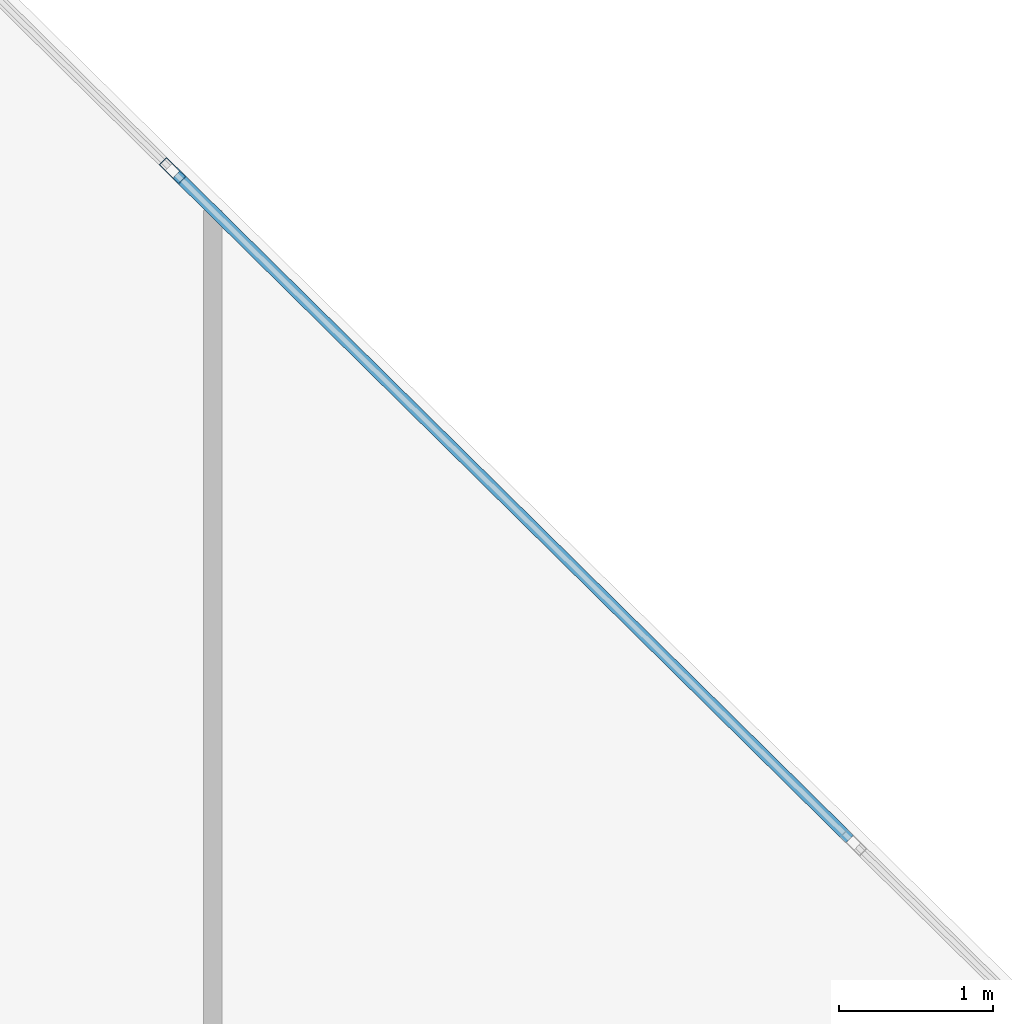
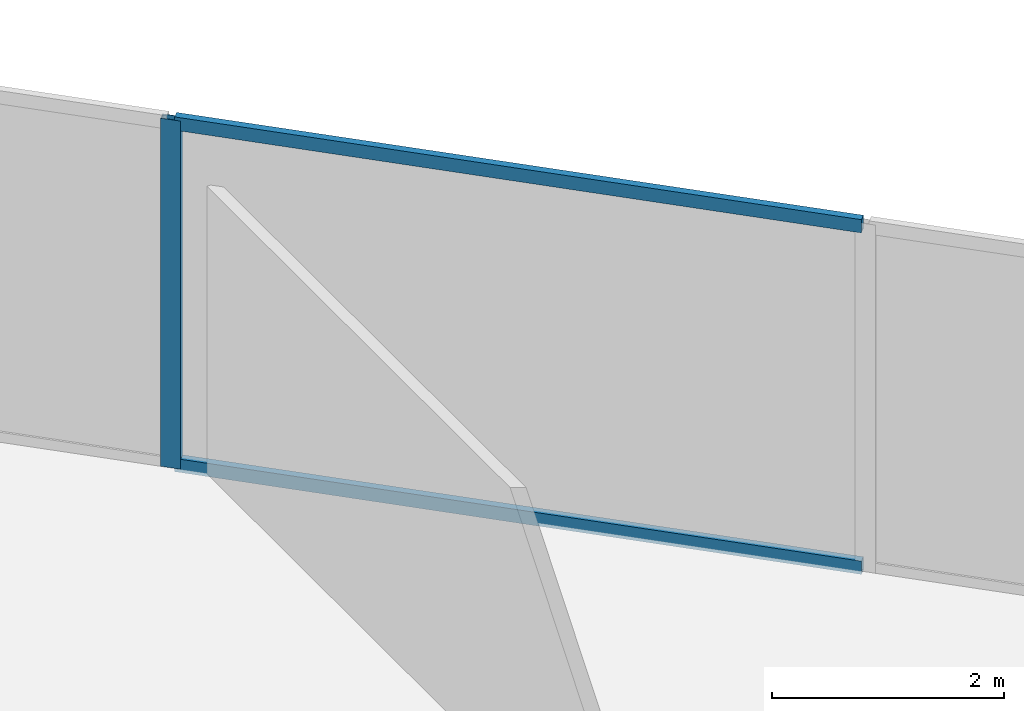
# One storey, part 19 of 24: 3 members, 1 element without a shape of its own.
"""IFC4 building model written with IfcOpenShell, lengths in metres."""

from ifc_helpers import new_model, si_unit, direction, frame, origin, origin_2d, place, context, subcontext, project, spatial, hollow_rectangle, extrude, source, transform, mapped, material, material_profile, profile_set, type_object, type_shapes, element, aggregate, save


model = new_model("IFC4")

# Units and contexts
model_context = context("Model", 3, precision=1e-05, world=origin(), true_north=direction((0.0, 1.0)))
body_context = subcontext(model_context, "Body", "Model", "MODEL_VIEW")
ifc_project = project(units=[si_unit("LENGTHUNIT", "METRE"), si_unit("AREAUNIT", "SQUARE_METRE"), si_unit("VOLUMEUNIT", "CUBIC_METRE"), si_unit("PLANEANGLEUNIT", "RADIAN"), si_unit("MASSUNIT", "GRAM", prefix="KILO")], contexts=[model_context])

# Site, building, storey
site_placement = place(None, origin())
site = spatial("IfcSite", under=ifc_project, at=site_placement, CompositionType="ELEMENT")
building_placement = place(site_placement, origin())
building = spatial("IfcBuilding", under=site, at=building_placement, Name="Krantzveldt Concourse Tower", CompositionType="ELEMENT")
storey_placement = place(building_placement, frame((0.0, 0.0, 231.0)))
storey = spatial("IfcBuildingStorey", under=building, at=storey_placement, Name="L56", CompositionType="ELEMENT", Elevation=231.0)

# Curtain wall, members
ifc_material = material(Name="Anodised aluminium 6063-T6", Category="aluminium")
curtain_wall_type = type_object("IfcCurtainWallType", Name="CW3", PredefinedType="USERDEFINED", material=ifc_material)
curtain_wall_placement = place(storey_placement, origin())
curtain_wall = element("IfcCurtainWall", 1, at=curtain_wall_placement, inside=storey, type_object=curtain_wall_type, Name="CW-L56-F10", ObjectType="UNITISED CURTAIN WALL", PredefinedType="USERDEFINED")
ifc_material_profile_1 = material_profile(ifc_material, hollow_rectangle(XDim=0.070068359375, YDim=0.179931640625, WallThickness=0.0048828125, at=origin_2d()), Name="Anodised aluminium 6063-T6", Category="aluminium")
ifc_profile_set_1 = profile_set([ifc_material_profile_1], Name="Anodised aluminium 6063-T6 - ALU-MULL 180x70x5")
member_type_1 = type_object("IfcMemberType", Name="CW-MUL-180", PredefinedType="MULLION", material=ifc_profile_set_1)
shared_shape_1 = source(origin(), body_context, "Body", "SweptSolid", [
    extrude(hollow_rectangle(XDim=0.070068359375, YDim=0.179931640625, WallThickness=0.0048828125, at=origin_2d()), origin(), (0.0, 0.0, 1.0), 3.669921875),
])
type_shapes(member_type_1, [shared_shape_1])
member_1_placement = place(storey_placement, frame((43.71826171875, 47.759033203125, 0.0), z_axis=(0.0, 0.0, 1.0), x_axis=(-0.702463570854, -0.711719700179, 0.0)))
member_1 = element("IfcMember", 2, at=member_1_placement, type_object=member_type_1, Name="CW-Z34 mullion 5", PredefinedType="MULLION", context=body_context, shape_type="MappedRepresentation", body=[
    mapped(shared_shape_1, transform((0.0, 0.0, 0.0), x_axis=(1.0, 0.0, 0.0), y_axis=(0.0, 1.0, 0.0), z_axis=(0.0, 0.0, 1.0), scale=1.0)),
])
ifc_material_profile_2 = material_profile(ifc_material, hollow_rectangle(XDim=0.070068359375, YDim=0.139892578125, WallThickness=0.0048828125, at=origin_2d()), Name="Anodised aluminium 6063-T6", Category="aluminium")
ifc_profile_set_2 = profile_set([ifc_material_profile_2], Name="Anodised aluminium 6063-T6 - ALU-TRAN 140x70x5")
member_type_2 = type_object("IfcMemberType", Name="CW-TRN-150", PredefinedType="USERDEFINED", material=ifc_profile_set_2)
shared_shape_2 = source(origin(), body_context, "Body", "SweptSolid", [
    extrude(hollow_rectangle(XDim=0.070068359375, YDim=0.139892578125, WallThickness=0.0048828125, at=origin_2d()), origin(), (0.0, 0.0, 1.0), 6.1298828125),
])
type_shapes(member_type_2, [shared_shape_2])
member_2_placement = place(storey_placement, frame((48.10595703125, 43.428466796875, 0.034912109375), z_axis=(-0.71171164102, 0.702471736112, 0.0), x_axis=(-0.702471736112, -0.71171164102, 0.0)))
member_2 = element("IfcMember", 3, at=member_2_placement, type_object=member_type_2, Name="CW-Z34 transom 4.1", ObjectType="TRANSOM", PredefinedType="USERDEFINED", context=body_context, shape_type="MappedRepresentation", body=[
    mapped(shared_shape_2, transform((0.0, 0.0, 0.0), x_axis=(1.0, 0.0, 0.0), y_axis=(0.0, 1.0, 0.0), z_axis=(0.0, 0.0, 1.0), scale=1.0)),
])
member_3_placement = place(storey_placement, frame((48.10595703125, 43.428466796875, 3.635009765625), z_axis=(-0.71171164102, 0.702471736112, 0.0), x_axis=(-0.702471736112, -0.71171164102, 0.0)))
member_3 = element("IfcMember", 4, at=member_3_placement, type_object=member_type_2, Name="CW-Z34 transom 4.2", ObjectType="TRANSOM", PredefinedType="USERDEFINED", context=body_context, shape_type="MappedRepresentation", body=[
    mapped(shared_shape_2, transform((0.0, 0.0, 0.0), x_axis=(1.0, 0.0, 0.0), y_axis=(0.0, 1.0, 0.0), z_axis=(0.0, 0.0, 1.0), scale=1.0)),
])
aggregate(curtain_wall, [member_1, member_2, member_3])

save(model, "model.ifc")
